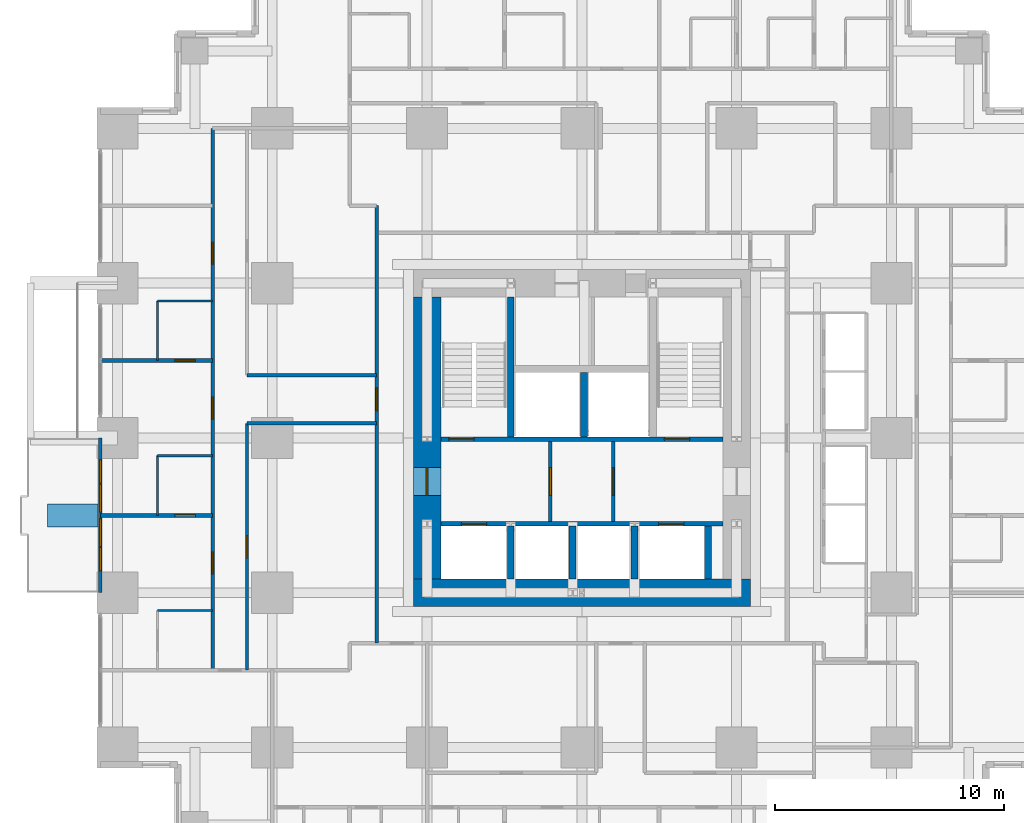
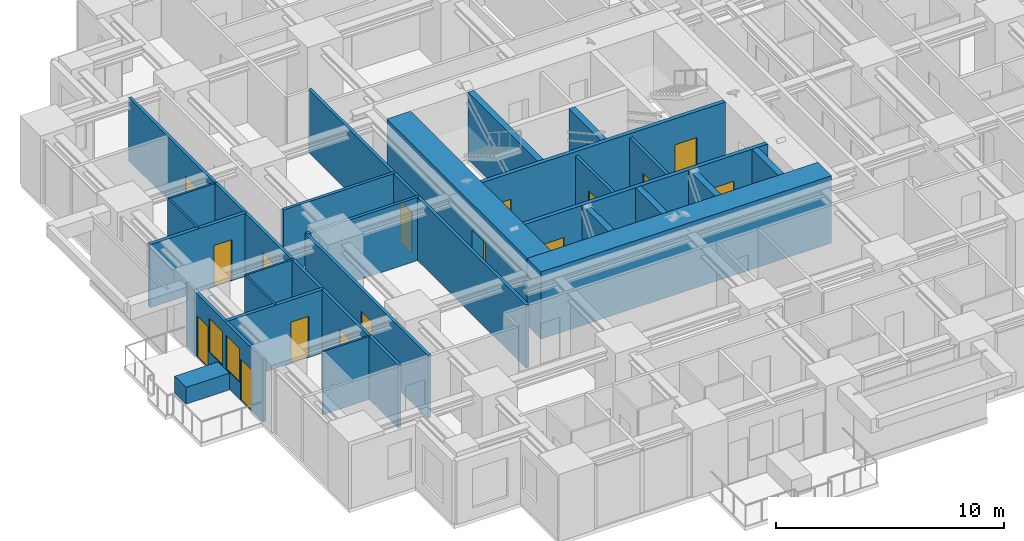
# One storey, part 9 of 14: 26 walls, 16 doors, 2 windows, 18 openings.
"""IFC4 building model written with IfcOpenShell, lengths in metres."""

from ifc_helpers import new_model, si_unit, direction, frame, frame_2d, origin, place, context, subcontext, project, spatial, rectangle, extrude, material, layer, layer_set, type_object, element, fill, save


model = new_model("IFC4")

# Units and contexts
model_context = context("Model", 3, precision=1e-05, world=origin(), true_north=direction((0.0, 1.0)))
body_context = subcontext(model_context, "Body", "Model", "MODEL_VIEW")
ifc_project = project(units=[si_unit("LENGTHUNIT", "METRE"), si_unit("AREAUNIT", "SQUARE_METRE"), si_unit("VOLUMEUNIT", "CUBIC_METRE"), si_unit("PLANEANGLEUNIT", "RADIAN"), si_unit("MASSUNIT", "GRAM", prefix="KILO")], contexts=[model_context])

# Site, building, storey
site_placement = place(None, origin())
site = spatial("IfcSite", under=ifc_project, at=site_placement, CompositionType="ELEMENT")
building_placement = place(site_placement, origin())
building = spatial("IfcBuilding", under=site, at=building_placement, Name="Nyansa Garden Tower", CompositionType="ELEMENT")
storey_placement = place(building_placement, frame((0.0, 0.0, 54.0)))
storey = spatial("IfcBuildingStorey", under=building, at=storey_placement, Name="L14", CompositionType="ELEMENT", Elevation=54.0)

# Wall, opening, door
ifc_material_1 = material(Name="Dense blockwork, plastered both sides, 55 dB", Category="masonry")
ifc_layer_1 = layer(ifc_material_1, 0.175048828125)
ifc_layer_set_1 = layer_set([ifc_layer_1], Name="Acoustic party wall PW175")
wall_type_1 = type_object("IfcWallType", Name="Acoustic party wall PW175", PredefinedType="PARTITIONING", material=ifc_layer_set_1)
wall_1_placement = place(storey_placement, frame((-0.73388671875, 16.875, 0.0), z_axis=(0.0, 0.0, 1.0), x_axis=(1.0, 0.0, 0.0)))
wall_1 = element("IfcWall", 1, at=wall_1_placement, inside=storey, type_object=wall_type_1, Name="Party wall", PredefinedType="PARTITIONING", context=body_context, shape_type="SweptSolid", body=[
    extrude(rectangle(XDim=4.8837890625, YDim=0.175048828125, at=frame_2d((2.44189453125, 0.0))), origin(), (0.0, 0.0, 1.0), 3.375),
])
opening_1_placement = place(wall_1_placement, frame((3.23388671875, 0.0, 0.0)))
opening_1 = element("IfcOpeningElement", 2, at=opening_1_placement, cuts=wall_1, Name="Opening D02", PredefinedType="OPENING", context=body_context, shape_type="SweptSolid", body=[
    extrude(rectangle(XDim=0.89990234375, YDim=2.199951171875, at=frame_2d((0.449951171875, 1.10009765625))), frame((0.0, 0.097412109375, 0.0), z_axis=(0.0, -1.0, 0.0), x_axis=(1.0, 0.0, 0.0)), (0.0, 0.0, 1.0), 0.195068359375),
])
ifc_material_2 = material(Name="Timber flush door", Category="wood")
door_type_1 = type_object("IfcDoorType", Name="En-suite door D02 900x2200", OperationType="SINGLE_SWING_RIGHT", PredefinedType="DOOR", material=ifc_material_2)
door_1_placement = place(opening_1_placement, origin())
door_1 = element("IfcDoor", 3, at=door_1_placement, inside=storey, type_object=door_type_1, Name="Door L14-061", OperationType="SINGLE_SWING_RIGHT", OverallHeight=2.199951171875, OverallWidth=0.89990234375, PredefinedType="DOOR", context=body_context, shape_type="SweptSolid", body=[
    extrude(rectangle(XDim=0.89990234375, YDim=2.199951171875, at=frame_2d((0.449951171875, 1.10009765625))), frame((0.0, 0.02490234375, 0.0), z_axis=(0.0, -1.0, 0.0), x_axis=(1.0, 0.0, 0.0)), (0.0, 0.0, 1.0), 0.050048828125),
])
fill(opening_1, door_1)

wall_2_placement = place(storey_placement, frame((-0.73388671875, 23.625, 0.0), z_axis=(0.0, 0.0, 1.0), x_axis=(1.0, 0.0, 0.0)))
wall_2 = element("IfcWall", 4, at=wall_2_placement, inside=storey, type_object=wall_type_1, Name="Party wall", PredefinedType="PARTITIONING", context=body_context, shape_type="SweptSolid", body=[
    extrude(rectangle(XDim=4.8837890625, YDim=0.175048828125, at=frame_2d((2.44189453125, 0.0))), origin(), (0.0, 0.0, 1.0), 3.375),
])
opening_2_placement = place(wall_2_placement, frame((3.23388671875, 0.0, 0.0)))
opening_2 = element("IfcOpeningElement", 5, at=opening_2_placement, cuts=wall_2, Name="Opening D02", PredefinedType="OPENING", context=body_context, shape_type="SweptSolid", body=[
    extrude(rectangle(XDim=0.89990234375, YDim=2.199951171875, at=frame_2d((0.449951171875, 1.10009765625))), frame((0.0, 0.097412109375, 0.0), z_axis=(0.0, -1.0, 0.0), x_axis=(1.0, 0.0, 0.0)), (0.0, 0.0, 1.0), 0.195068359375),
])
door_2_placement = place(opening_2_placement, origin())
door_2 = element("IfcDoor", 6, at=door_2_placement, inside=storey, type_object=door_type_1, Name="Door L14-063", OperationType="SINGLE_SWING_RIGHT", OverallHeight=2.199951171875, OverallWidth=0.89990234375, PredefinedType="DOOR", context=body_context, shape_type="SweptSolid", body=[
    extrude(rectangle(XDim=0.89990234375, YDim=2.199951171875, at=frame_2d((0.449951171875, 1.10009765625))), frame((0.0, 0.02490234375, 0.0), z_axis=(0.0, -1.0, 0.0), x_axis=(1.0, 0.0, 0.0)), (0.0, 0.0, 1.0), 0.050048828125),
])
fill(opening_2, door_2)

# Wall, openings, doors, windows
ifc_material_3 = material(Name="Black aluminium framed glazed screen", Category="aluminium")
ifc_layer_2 = layer(ifc_material_3, 0.14990234375)
ifc_layer_set_2 = layer_set([ifc_layer_2], Name="Balcony screen wall BW150")
wall_type_2 = type_object("IfcWallType", Name="Balcony screen wall BW150", PredefinedType="SOLIDWALL", material=ifc_layer_set_2)
wall_3_placement = place(storey_placement, frame((-0.75, 13.5, 0.0), z_axis=(0.0, 0.0, 1.0), x_axis=(0.0, 1.0, 0.0)))
wall_3 = element("IfcWall", 7, at=wall_3_placement, inside=storey, type_object=wall_type_2, Name="Glazed screen wall L14 W", PredefinedType="SOLIDWALL", context=body_context, shape_type="SweptSolid", body=[
    extrude(rectangle(XDim=6.75, YDim=0.14990234375, at=frame_2d((3.375, 0.0))), origin(), (0.0, 0.0, 1.0), 3.375),
])
opening_3_placement = place(wall_3_placement, frame((0.96240234375, 0.0, 0.0)))
opening_3 = element("IfcOpeningElement", 8, at=opening_3_placement, cuts=wall_3, Name="Opening D20", PredefinedType="OPENING", context=body_context, shape_type="SweptSolid", body=[
    extrude(rectangle(XDim=1.0, YDim=2.199951171875, at=frame_2d((0.5, 1.10009765625))), frame((0.0, 0.0849609375, 0.0), z_axis=(0.0, -1.0, 0.0), x_axis=(1.0, 0.0, 0.0)), (0.0, 0.0, 1.0), 0.169921875),
])
opening_4_placement = place(wall_3_placement, frame((2.02490234375, 0.0, 0.89990234375)))
opening_4 = element("IfcOpeningElement", 9, at=opening_4_placement, cuts=wall_3, Name="Opening W6", PredefinedType="OPENING", context=body_context, shape_type="SweptSolid", body=[
    extrude(rectangle(XDim=1.199951171875, YDim=1.800048828125, at=frame_2d((0.60009765625, 0.89990234375))), frame((0.0, 0.0849609375, 0.0), z_axis=(0.0, -1.0, 0.0), x_axis=(1.0, 0.0, 0.0)), (0.0, 0.0, 1.0), 0.169921875),
])
opening_5_placement = place(wall_3_placement, frame((4.78759765625, 0.0, 0.0)))
opening_5 = element("IfcOpeningElement", 10, at=opening_5_placement, cuts=wall_3, Name="Opening D20", PredefinedType="OPENING", context=body_context, shape_type="SweptSolid", body=[
    extrude(rectangle(XDim=1.0, YDim=2.199951171875, at=frame_2d((0.5, 1.10009765625))), frame((0.0, 0.0849609375, 0.0), z_axis=(0.0, -1.0, 0.0), x_axis=(1.0, 0.0, 0.0)), (0.0, 0.0, 1.0), 0.169921875),
])
opening_6_placement = place(wall_3_placement, frame((3.52490234375, 0.0, 0.89990234375)))
opening_6 = element("IfcOpeningElement", 11, at=opening_6_placement, cuts=wall_3, Name="Opening W6", PredefinedType="OPENING", context=body_context, shape_type="SweptSolid", body=[
    extrude(rectangle(XDim=1.199951171875, YDim=1.800048828125, at=frame_2d((0.60009765625, 0.89990234375))), frame((0.0, 0.0849609375, 0.0), z_axis=(0.0, -1.0, 0.0), x_axis=(1.0, 0.0, 0.0)), (0.0, 0.0, 1.0), 0.169921875),
])
ifc_material_4 = material(Name="Black aluminium framed glazed door", Category="aluminium")
door_type_2 = type_object("IfcDoorType", Name="Balcony door D20 1000x2200", OperationType="NOTDEFINED", PredefinedType="DOOR", material=ifc_material_4)
door_3_placement = place(opening_3_placement, origin())
door_3 = element("IfcDoor", 12, at=door_3_placement, inside=storey, type_object=door_type_2, Name="Balcony door L14", OperationType="SINGLE_SWING_LEFT", OverallHeight=2.199951171875, OverallWidth=1.0, PredefinedType="DOOR", context=body_context, shape_type="SweptSolid", body=[
    extrude(rectangle(XDim=1.0, YDim=2.199951171875, at=frame_2d((0.5, 1.10009765625))), frame((0.0, 0.02490234375, 0.0), z_axis=(0.0, -1.0, 0.0), x_axis=(1.0, 0.0, 0.0)), (0.0, 0.0, 1.0), 0.050048828125),
])
fill(opening_3, door_3)
door_4_placement = place(opening_5_placement, origin())
door_4 = element("IfcDoor", 13, at=door_4_placement, inside=storey, type_object=door_type_2, Name="Balcony door L14", OperationType="SINGLE_SWING_RIGHT", OverallHeight=2.199951171875, OverallWidth=1.0, PredefinedType="DOOR", context=body_context, shape_type="SweptSolid", body=[
    extrude(rectangle(XDim=1.0, YDim=2.199951171875, at=frame_2d((0.5, 1.10009765625))), frame((0.0, 0.02490234375, 0.0), z_axis=(0.0, -1.0, 0.0), x_axis=(1.0, 0.0, 0.0)), (0.0, 0.0, 1.0), 0.050048828125),
])
fill(opening_5, door_4)
ifc_material_5 = material(Name="Black aluminium frame, dark tinted double glazing", Category="aluminium")
window_type = type_object("IfcWindowType", Name="Balcony window W6 1200x1800", PartitioningType="SINGLE_PANEL", PredefinedType="WINDOW", material=ifc_material_5)
window_1_placement = place(opening_4_placement, origin())
window_1 = element("IfcWindow", 14, at=window_1_placement, inside=storey, type_object=window_type, Name="Window L14", OverallHeight=1.800048828125, OverallWidth=1.199951171875, PartitioningType="SINGLE_PANEL", PredefinedType="WINDOW", context=body_context, shape_type="SweptSolid", body=[
    extrude(rectangle(XDim=1.199951171875, YDim=1.800048828125, at=frame_2d((0.60009765625, 0.89990234375))), frame((0.0, 0.030029296875, 0.0), z_axis=(0.0, -1.0, 0.0), x_axis=(1.0, 0.0, 0.0)), (0.0, 0.0, 1.0), 0.06005859375),
])
fill(opening_4, window_1)
window_2_placement = place(opening_6_placement, origin())
window_2 = element("IfcWindow", 15, at=window_2_placement, inside=storey, type_object=window_type, Name="Window L14", OverallHeight=1.800048828125, OverallWidth=1.199951171875, PartitioningType="SINGLE_PANEL", PredefinedType="WINDOW", context=body_context, shape_type="SweptSolid", body=[
    extrude(rectangle(XDim=1.199951171875, YDim=1.800048828125, at=frame_2d((0.60009765625, 0.89990234375))), frame((0.0, 0.030029296875, 0.0), z_axis=(0.0, -1.0, 0.0), x_axis=(1.0, 0.0, 0.0)), (0.0, 0.0, 1.0), 0.06005859375),
])
fill(opening_6, window_2)

# Wall, openings, doors
ifc_material_6 = material(Name="Concrete C70/85", Category="concrete")
ifc_layer_3 = layer(ifc_material_6, 0.199951171875)
ifc_layer_set_3 = layer_set([ifc_layer_3], Name="Core inner wall CI200")
wall_type_3 = type_object("IfcWallType", Name="Core inner wall CI200", PredefinedType="SHEAR", material=ifc_layer_set_3)
wall_4_placement = place(storey_placement, frame((14.10009765625, 16.5, 0.0), z_axis=(0.0, 0.0, 1.0), x_axis=(1.0, 0.0, 0.0)))
wall_4 = element("IfcWall", 16, at=wall_4_placement, inside=storey, type_object=wall_type_3, Name="Core inner wall L14", PredefinedType="SHEAR", context=body_context, shape_type="SweptSolid", body=[
    extrude(rectangle(XDim=12.2998046875, YDim=0.199951171875, at=frame_2d((6.14990234375, 0.0))), origin(), (0.0, 0.0, 1.0), 3.60009765625),
])
opening_7_placement = place(wall_4_placement, frame((0.89990234375, 0.0, 0.0)))
opening_7 = element("IfcOpeningElement", 17, at=opening_7_placement, cuts=wall_4, Name="Opening LD-F", PredefinedType="OPENING", context=body_context, shape_type="SweptSolid", body=[
    extrude(rectangle(XDim=1.10009765625, YDim=2.199951171875, at=frame_2d((0.550048828125, 1.10009765625))), frame((0.0, 0.10986328125, 0.0), z_axis=(0.0, -1.0, 0.0), x_axis=(1.0, 0.0, 0.0)), (0.0, 0.0, 1.0), 0.219970703125),
])
opening_8_placement = place(wall_4_placement, frame((9.5, 0.0, 0.0)))
opening_8 = element("IfcOpeningElement", 18, at=opening_8_placement, cuts=wall_4, Name="Opening LD-F", PredefinedType="OPENING", context=body_context, shape_type="SweptSolid", body=[
    extrude(rectangle(XDim=1.10009765625, YDim=2.199951171875, at=frame_2d((0.550048828125, 1.10009765625))), frame((0.0, 0.10986328125, 0.0), z_axis=(0.0, -1.0, 0.0), x_axis=(1.0, 0.0, 0.0)), (0.0, 0.0, 1.0), 0.219970703125),
])
ifc_material_7 = material(Name="Stainless steel centre-opening landing door of the firefighting lift, EN 81-72, E 120", Category="steel")
door_type_3 = type_object("IfcDoorType", Name="Lift landing door LD-F 1100x2200", OperationType="DOUBLE_DOOR_SLIDING", PredefinedType="DOOR", material=ifc_material_7)
door_5_placement = place(opening_7_placement, origin())
door_5 = element("IfcDoor", 19, at=door_5_placement, inside=storey, type_object=door_type_3, Name="Landing door FF1", OperationType="DOUBLE_DOOR_SLIDING", OverallHeight=2.199951171875, OverallWidth=1.10009765625, PredefinedType="DOOR", context=body_context, shape_type="SweptSolid", body=[
    extrude(rectangle(XDim=1.10009765625, YDim=2.199951171875, at=frame_2d((0.550048828125, 1.10009765625))), frame((0.0, 0.02490234375, 0.0), z_axis=(0.0, -1.0, 0.0), x_axis=(1.0, 0.0, 0.0)), (0.0, 0.0, 1.0), 0.050048828125),
])
fill(opening_7, door_5)
door_6_placement = place(opening_8_placement, origin())
door_6 = element("IfcDoor", 20, at=door_6_placement, inside=storey, type_object=door_type_3, Name="Landing door FF2", OperationType="DOUBLE_DOOR_SLIDING", OverallHeight=2.199951171875, OverallWidth=1.10009765625, PredefinedType="DOOR", context=body_context, shape_type="SweptSolid", body=[
    extrude(rectangle(XDim=1.10009765625, YDim=2.199951171875, at=frame_2d((0.550048828125, 1.10009765625))), frame((0.0, 0.02490234375, 0.0), z_axis=(0.0, -1.0, 0.0), x_axis=(1.0, 0.0, 0.0)), (0.0, 0.0, 1.0), 0.050048828125),
])
fill(opening_8, door_6)

wall_5_placement = place(storey_placement, frame((14.10009765625, 20.199951171875, 0.0), z_axis=(0.0, 0.0, 1.0), x_axis=(1.0, 0.0, 0.0)))
wall_5 = element("IfcWall", 21, at=wall_5_placement, inside=storey, type_object=wall_type_3, Name="Core inner wall L14", PredefinedType="SHEAR", context=body_context, shape_type="SweptSolid", body=[
    extrude(rectangle(XDim=12.2998046875, YDim=0.199951171875, at=frame_2d((6.14990234375, 0.0))), origin(), (0.0, 0.0, 1.0), 3.60009765625),
])
opening_9_placement = place(wall_5_placement, frame((0.35009765625, 0.0, 0.0)))
opening_9 = element("IfcOpeningElement", 22, at=opening_9_placement, cuts=wall_5, Name="Opening D05", PredefinedType="OPENING", context=body_context, shape_type="SweptSolid", body=[
    extrude(rectangle(XDim=1.10009765625, YDim=2.199951171875, at=frame_2d((0.550048828125, 1.10009765625))), frame((0.0, 0.10986328125, 0.0), z_axis=(0.0, -1.0, 0.0), x_axis=(1.0, 0.0, 0.0)), (0.0, 0.0, 1.0), 0.219970703125),
])
opening_10_placement = place(wall_5_placement, frame((9.75, 0.0, 0.0)))
opening_10 = element("IfcOpeningElement", 23, at=opening_10_placement, cuts=wall_5, Name="Opening D05", PredefinedType="OPENING", context=body_context, shape_type="SweptSolid", body=[
    extrude(rectangle(XDim=1.10009765625, YDim=2.199951171875, at=frame_2d((0.550048828125, 1.10009765625))), frame((0.0, 0.10986328125, 0.0), z_axis=(0.0, -1.0, 0.0), x_axis=(1.0, 0.0, 0.0)), (0.0, 0.0, 1.0), 0.219970703125),
])
ifc_material_8 = material(Name="Steel door, 120 minute fire resisting", Category="steel")
door_type_4 = type_object("IfcDoorType", Name="Stair door D05 1100x2200", OperationType="SINGLE_SWING_LEFT", PredefinedType="DOOR", material=ifc_material_8)
door_7_placement = place(opening_9_placement, origin())
door_7 = element("IfcDoor", 24, at=door_7_placement, inside=storey, type_object=door_type_4, Name="Stair S1 door", OperationType="SINGLE_SWING_LEFT", OverallHeight=2.199951171875, OverallWidth=1.10009765625, PredefinedType="DOOR", context=body_context, shape_type="SweptSolid", body=[
    extrude(rectangle(XDim=1.10009765625, YDim=2.199951171875, at=frame_2d((0.550048828125, 1.10009765625))), frame((0.0, 0.02490234375, 0.0), z_axis=(0.0, -1.0, 0.0), x_axis=(1.0, 0.0, 0.0)), (0.0, 0.0, 1.0), 0.050048828125),
])
fill(opening_9, door_7)
door_8_placement = place(opening_10_placement, origin())
door_8 = element("IfcDoor", 25, at=door_8_placement, inside=storey, type_object=door_type_4, Name="Stair S2 door", OperationType="SINGLE_SWING_LEFT", OverallHeight=2.199951171875, OverallWidth=1.10009765625, PredefinedType="DOOR", context=body_context, shape_type="SweptSolid", body=[
    extrude(rectangle(XDim=1.10009765625, YDim=2.199951171875, at=frame_2d((0.550048828125, 1.10009765625))), frame((0.0, 0.02490234375, 0.0), z_axis=(0.0, -1.0, 0.0), x_axis=(1.0, 0.0, 0.0)), (0.0, 0.0, 1.0), 0.050048828125),
])
fill(opening_10, door_8)

# Walls
ifc_material_9 = material(Name="Concrete C70/85", Category="concrete")
ifc_layer_4 = layer(ifc_material_9, 0.300048828125)
ifc_layer_set_4 = layer_set([ifc_layer_4], Name="Core inner wall CI300")
wall_type_4 = type_object("IfcWallType", Name="Core inner wall CI300", PredefinedType="SHEAR", material=ifc_layer_set_4)
wall_6_placement = place(storey_placement, frame((17.14990234375, 20.300048828125, 0.0), z_axis=(0.0, 0.0, 1.0), x_axis=(0.0, 1.0, 0.0)))
element("IfcWall", 26, at=wall_6_placement, inside=storey, type_object=wall_type_4, Name="Core inner wall L14", PredefinedType="SHEAR", context=body_context, shape_type="SweptSolid", body=[
    extrude(rectangle(XDim=6.099853515625, YDim=0.300048828125, at=frame_2d((3.0498046875, 0.0))), origin(), (0.0, 0.0, 1.0), 3.60009765625),
])
wall_7_placement = place(storey_placement, frame((20.35009765625, 20.300048828125, 0.0), z_axis=(0.0, 0.0, 1.0), x_axis=(0.0, 1.0, 0.0)))
element("IfcWall", 27, at=wall_7_placement, inside=storey, type_object=wall_type_4, Name="Core inner wall L14", PredefinedType="SHEAR", context=body_context, shape_type="SweptSolid", body=[
    extrude(rectangle(XDim=2.800048828125, YDim=0.300048828125, at=frame_2d((1.39990234375, 0.0))), origin(), (0.0, 0.0, 1.0), 3.60009765625),
])
for number, where, z_axis, x_axis, name in (
    (28, (17.14990234375, 14.10009765625, 0.0), (0.0, 0.0, 1.0), (0.0, 1.0, 0.0), "Core inner wall L14"),
    (29, (19.85009765625, 14.10009765625, 0.0), (0.0, 0.0, 1.0), (0.0, 1.0, 0.0), "Core inner wall L14"),
    (30, (22.550048828125, 14.10009765625, 0.0), (0.0, 0.0, 1.0), (0.0, 1.0, 0.0), "Core inner wall L14"),
    (31, (25.75, 14.10009765625, 0.0), (0.0, 0.0, 1.0), (0.0, 1.0, 0.0), "Core inner wall L14"),
):
    element("IfcWall", number, at=place(storey_placement, frame(where, z_axis=z_axis, x_axis=x_axis)), inside=storey, type_object=wall_type_4, Name=name, PredefinedType="SHEAR", context=body_context, shape_type="SweptSolid", body=[
        extrude(rectangle(XDim=2.2998046875, YDim=0.300048828125, at=frame_2d((1.14990234375, 0.0))), origin(), (0.0, 0.0, 1.0), 3.60009765625),
    ])
ifc_material_10 = material(Name="Concrete C80/95", Category="concrete")
ifc_layer_5 = layer(ifc_material_10, 1.199951171875)
ifc_layer_set_5 = layer_set([ifc_layer_5], Name="Core wall CW1200")
wall_type_5 = type_object("IfcWallType", Name="Core wall CW1200", PredefinedType="SHEAR", material=ifc_layer_set_5)
wall_8_placement = place(storey_placement, frame((12.89990234375, 13.5, 0.0), z_axis=(0.0, 0.0, 1.0), x_axis=(1.0, 0.0, 0.0)))
element("IfcWall", 32, at=wall_8_placement, inside=storey, type_object=wall_type_5, Name="Core wall S L14", PredefinedType="SHEAR", context=body_context, shape_type="SweptSolid", body=[
    extrude(rectangle(XDim=14.7001953125, YDim=1.199951171875, at=frame_2d((7.35009765625, 0.0))), origin(), (0.0, 0.0, 1.0), 3.60009765625),
])

# Wall, opening, door
wall_9_placement = place(storey_placement, frame((13.5, 26.39990234375, 0.0), z_axis=(0.0, 0.0, 1.0), x_axis=(0.0, -1.0, 0.0)))
wall_9 = element("IfcWall", 33, at=wall_9_placement, inside=storey, type_object=wall_type_5, Name="Core wall W L14", PredefinedType="SHEAR", context=body_context, shape_type="SweptSolid", body=[
    extrude(rectangle(XDim=12.2998046875, YDim=1.199951171875, at=frame_2d((6.14990234375, 0.0))), origin(), (0.0, 0.0, 1.0), 3.60009765625),
])
opening_11_placement = place(wall_9_placement, frame((7.449951171875, 0.0, 0.0)))
opening_11 = element("IfcOpeningElement", 34, at=opening_11_placement, cuts=wall_9, Name="Opening D06", PredefinedType="OPENING", context=body_context, shape_type="SweptSolid", body=[
    extrude(rectangle(XDim=1.199951171875, YDim=2.199951171875, at=frame_2d((0.60009765625, 1.10009765625))), frame((0.0, 0.60986328125, 0.0), z_axis=(0.0, -1.0, 0.0), x_axis=(1.0, 0.0, 0.0)), (0.0, 0.0, 1.0), 1.219970703125),
])
ifc_material_11 = material(Name="Steel door, 120 minute fire resisting", Category="steel")
door_type_5 = type_object("IfcDoorType", Name="Lobby door D06 1200x2200", OperationType="DOUBLE_DOOR_SINGLE_SWING", PredefinedType="DOOR", material=ifc_material_11)
door_9_placement = place(opening_11_placement, origin())
door_9 = element("IfcDoor", 35, at=door_9_placement, inside=storey, type_object=door_type_5, Name="Lift lobby door west", OperationType="DOUBLE_DOOR_SINGLE_SWING", OverallHeight=2.199951171875, OverallWidth=1.199951171875, PredefinedType="DOOR", context=body_context, shape_type="SweptSolid", body=[
    extrude(rectangle(XDim=1.199951171875, YDim=2.199951171875, at=frame_2d((0.60009765625, 1.10009765625))), frame((0.0, 0.02490234375, 0.0), z_axis=(0.0, -1.0, 0.0), x_axis=(1.0, 0.0, 0.0)), (0.0, 0.0, 1.0), 0.050048828125),
])
fill(opening_11, door_9)

ifc_material_12 = material(Name="Blockwork, plastered both sides", Category="masonry")
ifc_layer_6 = layer(ifc_material_12, 0.14990234375)
ifc_layer_set_6 = layer_set([ifc_layer_6], Name="Partition PW150")
wall_type_6 = type_object("IfcWallType", Name="Partition PW150", PredefinedType="PARTITIONING", material=ifc_layer_set_6)
wall_10_placement = place(storey_placement, frame((18.875, 16.60009765625, 0.0), z_axis=(0.0, 0.0, 1.0), x_axis=(0.0, 1.0, 0.0)))
wall_10 = element("IfcWall", 36, at=wall_10_placement, inside=storey, type_object=wall_type_6, Name="Partition", PredefinedType="PARTITIONING", context=body_context, shape_type="SweptSolid", body=[
    extrude(rectangle(XDim=3.5, YDim=0.14990234375, at=frame_2d((1.75, 0.0))), origin(), (0.0, 0.0, 1.0), 3.375),
])
opening_12_placement = place(wall_10_placement, frame((1.14990234375, 0.0, 0.0)))
opening_12 = element("IfcOpeningElement", 37, at=opening_12_placement, cuts=wall_10, Name="Opening D06", PredefinedType="OPENING", context=body_context, shape_type="SweptSolid", body=[
    extrude(rectangle(XDim=1.199951171875, YDim=2.199951171875, at=frame_2d((0.60009765625, 1.10009765625))), frame((0.0, 0.0849609375, 0.0), z_axis=(0.0, -1.0, 0.0), x_axis=(1.0, 0.0, 0.0)), (0.0, 0.0, 1.0), 0.169921875),
])
door_10_placement = place(opening_12_placement, origin())
door_10 = element("IfcDoor", 38, at=door_10_placement, inside=storey, type_object=door_type_5, Name="Passenger lift lobby door", OperationType="DOUBLE_DOOR_SINGLE_SWING", OverallHeight=2.199951171875, OverallWidth=1.199951171875, PredefinedType="DOOR", context=body_context, shape_type="SweptSolid", body=[
    extrude(rectangle(XDim=1.199951171875, YDim=2.199951171875, at=frame_2d((0.60009765625, 1.10009765625))), frame((0.0, 0.02490234375, 0.0), z_axis=(0.0, -1.0, 0.0), x_axis=(1.0, 0.0, 0.0)), (0.0, 0.0, 1.0), 0.050048828125),
])
fill(opening_12, door_10)

wall_11_placement = place(storey_placement, frame((21.625, 16.60009765625, 0.0), z_axis=(0.0, 0.0, 1.0), x_axis=(0.0, 1.0, 0.0)))
wall_11 = element("IfcWall", 39, at=wall_11_placement, inside=storey, type_object=wall_type_6, Name="Partition", PredefinedType="PARTITIONING", context=body_context, shape_type="SweptSolid", body=[
    extrude(rectangle(XDim=3.5, YDim=0.14990234375, at=frame_2d((1.75, 0.0))), origin(), (0.0, 0.0, 1.0), 3.375),
])
opening_13_placement = place(wall_11_placement, frame((1.14990234375, 0.0, 0.0)))
opening_13 = element("IfcOpeningElement", 40, at=opening_13_placement, cuts=wall_11, Name="Opening D06", PredefinedType="OPENING", context=body_context, shape_type="SweptSolid", body=[
    extrude(rectangle(XDim=1.199951171875, YDim=2.199951171875, at=frame_2d((0.60009765625, 1.10009765625))), frame((0.0, 0.0849609375, 0.0), z_axis=(0.0, -1.0, 0.0), x_axis=(1.0, 0.0, 0.0)), (0.0, 0.0, 1.0), 0.169921875),
])
door_11_placement = place(opening_13_placement, origin())
door_11 = element("IfcDoor", 41, at=door_11_placement, inside=storey, type_object=door_type_5, Name="Passenger lift lobby door", OperationType="DOUBLE_DOOR_SINGLE_SWING", OverallHeight=2.199951171875, OverallWidth=1.199951171875, PredefinedType="DOOR", context=body_context, shape_type="SweptSolid", body=[
    extrude(rectangle(XDim=1.199951171875, YDim=2.199951171875, at=frame_2d((0.60009765625, 1.10009765625))), frame((0.0, 0.02490234375, 0.0), z_axis=(0.0, -1.0, 0.0), x_axis=(1.0, 0.0, 0.0)), (0.0, 0.0, 1.0), 0.050048828125),
])
fill(opening_13, door_11)

# Wall, openings, doors
wall_12_placement = place(storey_placement, frame((4.14990234375, 10.125, 0.0), z_axis=(0.0, 0.0, 1.0), x_axis=(0.0, 1.0, 0.0)))
wall_12 = element("IfcWall", 42, at=wall_12_placement, inside=storey, type_object=wall_type_6, Name="Partition", PredefinedType="PARTITIONING", context=body_context, shape_type="SweptSolid", body=[
    extrude(rectangle(XDim=23.625, YDim=0.14990234375, at=frame_2d((11.8125, 0.0))), origin(), (0.0, 0.0, 1.0), 3.375),
])
opening_14_placement = place(wall_12_placement, frame((4.199951171875, 0.0, 0.0)))
opening_14 = element("IfcOpeningElement", 43, at=opening_14_placement, cuts=wall_12, Name="Opening D14", PredefinedType="OPENING", context=body_context, shape_type="SweptSolid", body=[
    extrude(rectangle(XDim=0.949951171875, YDim=2.199951171875, at=frame_2d((0.47509765625, 1.10009765625))), frame((0.0, 0.0849609375, 0.0), z_axis=(0.0, -1.0, 0.0), x_axis=(1.0, 0.0, 0.0)), (0.0, 0.0, 1.0), 0.169921875),
])
opening_15_placement = place(wall_12_placement, frame((10.949951171875, 0.0, 0.0)))
opening_15 = element("IfcOpeningElement", 44, at=opening_15_placement, cuts=wall_12, Name="Opening D14", PredefinedType="OPENING", context=body_context, shape_type="SweptSolid", body=[
    extrude(rectangle(XDim=0.949951171875, YDim=2.199951171875, at=frame_2d((0.47509765625, 1.10009765625))), frame((0.0, 0.0849609375, 0.0), z_axis=(0.0, -1.0, 0.0), x_axis=(1.0, 0.0, 0.0)), (0.0, 0.0, 1.0), 0.169921875),
])
opening_16_placement = place(wall_12_placement, frame((17.699951171875, 0.0, 0.0)))
opening_16 = element("IfcOpeningElement", 45, at=opening_16_placement, cuts=wall_12, Name="Opening D14", PredefinedType="OPENING", context=body_context, shape_type="SweptSolid", body=[
    extrude(rectangle(XDim=0.949951171875, YDim=2.199951171875, at=frame_2d((0.47509765625, 1.10009765625))), frame((0.0, 0.0849609375, 0.0), z_axis=(0.0, -1.0, 0.0), x_axis=(1.0, 0.0, 0.0)), (0.0, 0.0, 1.0), 0.169921875),
])
ifc_material_13 = material(Name="Timber flush door, 60 minute fire resisting, self-closing", Category="wood")
door_type_6 = type_object("IfcDoorType", Name="Studio entrance door D14 950x2200", OperationType="SINGLE_SWING_LEFT", PredefinedType="DOOR", material=ifc_material_13)
door_12_placement = place(opening_14_placement, origin())
door_12 = element("IfcDoor", 46, at=door_12_placement, inside=storey, type_object=door_type_6, Name="Door L14-058", OperationType="SINGLE_SWING_LEFT", OverallHeight=2.199951171875, OverallWidth=0.949951171875, PredefinedType="DOOR", context=body_context, shape_type="SweptSolid", body=[
    extrude(rectangle(XDim=0.949951171875, YDim=2.199951171875, at=frame_2d((0.47509765625, 1.10009765625))), frame((0.0, 0.02490234375, 0.0), z_axis=(0.0, -1.0, 0.0), x_axis=(1.0, 0.0, 0.0)), (0.0, 0.0, 1.0), 0.050048828125),
])
fill(opening_14, door_12)
door_13_placement = place(opening_15_placement, origin())
door_13 = element("IfcDoor", 47, at=door_13_placement, inside=storey, type_object=door_type_6, Name="Door L14-060", OperationType="SINGLE_SWING_LEFT", OverallHeight=2.199951171875, OverallWidth=0.949951171875, PredefinedType="DOOR", context=body_context, shape_type="SweptSolid", body=[
    extrude(rectangle(XDim=0.949951171875, YDim=2.199951171875, at=frame_2d((0.47509765625, 1.10009765625))), frame((0.0, 0.02490234375, 0.0), z_axis=(0.0, -1.0, 0.0), x_axis=(1.0, 0.0, 0.0)), (0.0, 0.0, 1.0), 0.050048828125),
])
fill(opening_15, door_13)
door_14_placement = place(opening_16_placement, origin())
door_14 = element("IfcDoor", 48, at=door_14_placement, inside=storey, type_object=door_type_6, Name="Door L14-062", OperationType="SINGLE_SWING_LEFT", OverallHeight=2.199951171875, OverallWidth=0.949951171875, PredefinedType="DOOR", context=body_context, shape_type="SweptSolid", body=[
    extrude(rectangle(XDim=0.949951171875, YDim=2.199951171875, at=frame_2d((0.47509765625, 1.10009765625))), frame((0.0, 0.02490234375, 0.0), z_axis=(0.0, -1.0, 0.0), x_axis=(1.0, 0.0, 0.0)), (0.0, 0.0, 1.0), 0.050048828125),
])
fill(opening_16, door_14)

# Wall, opening, door
wall_13_placement = place(storey_placement, frame((5.64990234375, 10.125, 0.0), z_axis=(0.0, 0.0, 1.0), x_axis=(0.0, 1.0, 0.0)))
wall_13 = element("IfcWall", 49, at=wall_13_placement, inside=storey, type_object=wall_type_6, Name="Partition", PredefinedType="PARTITIONING", context=body_context, shape_type="SweptSolid", body=[
    extrude(rectangle(XDim=10.762451171875, YDim=0.14990234375, at=frame_2d((5.38134765625, 0.0))), origin(), (0.0, 0.0, 1.0), 3.375),
])
opening_17_placement = place(wall_13_placement, frame((4.89990234375, 0.0, 0.0)))
opening_17 = element("IfcOpeningElement", 50, at=opening_17_placement, cuts=wall_13, Name="Opening D01", PredefinedType="OPENING", context=body_context, shape_type="SweptSolid", body=[
    extrude(rectangle(XDim=0.949951171875, YDim=2.199951171875, at=frame_2d((0.47509765625, 1.10009765625))), frame((0.0, 0.0849609375, 0.0), z_axis=(0.0, -1.0, 0.0), x_axis=(1.0, 0.0, 0.0)), (0.0, 0.0, 1.0), 0.169921875),
])
ifc_material_14 = material(Name="Timber flush door, 30 minute fire resisting", Category="wood")
door_type_7 = type_object("IfcDoorType", Name="Bedroom door D01 950x2200", OperationType="SINGLE_SWING_LEFT", PredefinedType="DOOR", material=ifc_material_14)
door_15_placement = place(opening_17_placement, origin())
door_15 = element("IfcDoor", 51, at=door_15_placement, inside=storey, type_object=door_type_7, Name="Door L14-065", OperationType="SINGLE_SWING_LEFT", OverallHeight=2.199951171875, OverallWidth=0.949951171875, PredefinedType="DOOR", context=body_context, shape_type="SweptSolid", body=[
    extrude(rectangle(XDim=0.949951171875, YDim=2.199951171875, at=frame_2d((0.47509765625, 1.10009765625))), frame((0.0, 0.02490234375, 0.0), z_axis=(0.0, -1.0, 0.0), x_axis=(1.0, 0.0, 0.0)), (0.0, 0.0, 1.0), 0.050048828125),
])
fill(opening_17, door_15)

# Walls
for number, where, z_axis, x_axis, name in (
    (52, (5.64990234375, 20.886962890625, 0.0), (0.0, 0.0, 1.0), (1.0, 0.0, 0.0), "Partition"),
    (53, (5.64990234375, 22.988037109375, 0.0), (0.0, 0.0, 1.0), (1.0, 0.0, 0.0), "Partition"),
):
    element("IfcWall", number, at=place(storey_placement, frame(where, z_axis=z_axis, x_axis=x_axis)), inside=storey, type_object=wall_type_6, Name=name, PredefinedType="PARTITIONING", context=body_context, shape_type="SweptSolid", body=[
        extrude(rectangle(XDim=5.650146484375, YDim=0.14990234375, at=frame_2d((2.8251953125, 0.0))), origin(), (0.0, 0.0, 1.0), 3.375),
    ])

# Wall, opening, door
wall_14_placement = place(storey_placement, frame((11.300048828125, 11.300048828125, 0.0), z_axis=(0.0, 0.0, 1.0), x_axis=(0.0, 1.0, 0.0)))
wall_14 = element("IfcWall", 54, at=wall_14_placement, inside=storey, type_object=wall_type_6, Name="Partition", PredefinedType="PARTITIONING", context=body_context, shape_type="SweptSolid", body=[
    extrude(rectangle(XDim=19.074951171875, YDim=0.14990234375, at=frame_2d((9.53759765625, 0.0))), origin(), (0.0, 0.0, 1.0), 3.375),
])
opening_18_placement = place(wall_14_placement, frame((10.137451171875, 0.0, 0.0)))
opening_18 = element("IfcOpeningElement", 55, at=opening_18_placement, cuts=wall_14, Name="Opening D03", PredefinedType="OPENING", context=body_context, shape_type="SweptSolid", body=[
    extrude(rectangle(XDim=1.0, YDim=2.199951171875, at=frame_2d((0.5, 1.10009765625))), frame((0.0, 0.0849609375, 0.0), z_axis=(0.0, -1.0, 0.0), x_axis=(1.0, 0.0, 0.0)), (0.0, 0.0, 1.0), 0.169921875),
])
ifc_material_15 = material(Name="Timber flush door, 60 minute fire resisting", Category="wood")
door_type_8 = type_object("IfcDoorType", Name="Cluster entrance door D03 1000x2200", OperationType="SINGLE_SWING_LEFT", PredefinedType="DOOR", material=ifc_material_15)
door_16_placement = place(opening_18_placement, origin())
door_16 = element("IfcDoor", 56, at=door_16_placement, inside=storey, type_object=door_type_8, Name="Door L14-064", OperationType="SINGLE_SWING_LEFT", OverallHeight=2.199951171875, OverallWidth=1.0, PredefinedType="DOOR", context=body_context, shape_type="SweptSolid", body=[
    extrude(rectangle(XDim=1.0, YDim=2.199951171875, at=frame_2d((0.5, 1.10009765625))), frame((0.0, 0.02490234375, 0.0), z_axis=(0.0, -1.0, 0.0), x_axis=(1.0, 0.0, 0.0)), (0.0, 0.0, 1.0), 0.050048828125),
])
fill(opening_18, door_16)

# Walls
ifc_material_16 = material(Name="Concrete C40/50 planter, waterproofed", Category="concrete")
ifc_layer_7 = layer(ifc_material_16, 1.0)
ifc_layer_set_7 = layer_set([ifc_layer_7], Name="Tree planter TP1")
wall_type_7 = type_object("IfcWallType", Name="Tree planter TP1", PredefinedType="USERDEFINED", material=ifc_layer_set_7)
wall_15_placement = place(storey_placement, frame((-0.85009765625, 16.875, 0.0), z_axis=(0.0, 0.0, 1.0), x_axis=(-1.0, 0.0, 0.0)))
element("IfcWall", 57, at=wall_15_placement, inside=storey, type_object=wall_type_7, Name="Tree planter L14", ObjectType="TREE PLANTER", PredefinedType="USERDEFINED", context=body_context, shape_type="SweptSolid", body=[
    extrude(rectangle(XDim=2.199951171875, YDim=1.0, at=frame_2d((1.10009765625, 0.0))), origin(), (0.0, 0.0, 1.0), 0.89990234375),
])
ifc_material_17 = material(Name="Moisture resistant board on steel studs, tiled", Category="steel")
ifc_layer_8 = layer(ifc_material_17, 0.10009765625)
ifc_layer_set_8 = layer_set([ifc_layer_8], Name="Wet wall PW100")
wall_type_8 = type_object("IfcWallType", Name="Wet wall PW100", PredefinedType="PARTITIONING", material=ifc_layer_set_8)
wall_16_placement = place(storey_placement, frame((1.75, 12.72509765625, 0.0), z_axis=(0.0, 0.0, 1.0), x_axis=(1.0, 0.0, 0.0)))
element("IfcWall", 58, at=wall_16_placement, inside=storey, type_object=wall_type_8, Name="Wet wall", PredefinedType="PARTITIONING", context=body_context, shape_type="SweptSolid", body=[
    extrude(rectangle(XDim=2.39990234375, YDim=0.10009765625, at=frame_2d((1.199951171875, 0.0))), origin(), (0.0, 0.0, 1.0), 3.375),
])
wall_17_placement = place(storey_placement, frame((1.75, 16.875, 0.0), z_axis=(0.0, 0.0, 1.0), x_axis=(0.0, 1.0, 0.0)))
element("IfcWall", 59, at=wall_17_placement, inside=storey, type_object=wall_type_8, Name="Wet wall", PredefinedType="PARTITIONING", context=body_context, shape_type="SweptSolid", body=[
    extrude(rectangle(XDim=2.60009765625, YDim=0.10009765625, at=frame_2d((1.300048828125, 0.0))), origin(), (0.0, 0.0, 1.0), 3.375),
])
wall_18_placement = place(storey_placement, frame((1.75, 19.47509765625, 0.0), z_axis=(0.0, 0.0, 1.0), x_axis=(1.0, 0.0, 0.0)))
element("IfcWall", 60, at=wall_18_placement, inside=storey, type_object=wall_type_8, Name="Wet wall", PredefinedType="PARTITIONING", context=body_context, shape_type="SweptSolid", body=[
    extrude(rectangle(XDim=2.39990234375, YDim=0.10009765625, at=frame_2d((1.199951171875, 0.0))), origin(), (0.0, 0.0, 1.0), 3.375),
])
wall_19_placement = place(storey_placement, frame((1.75, 23.625, 0.0), z_axis=(0.0, 0.0, 1.0), x_axis=(0.0, 1.0, 0.0)))
element("IfcWall", 61, at=wall_19_placement, inside=storey, type_object=wall_type_8, Name="Wet wall", PredefinedType="PARTITIONING", context=body_context, shape_type="SweptSolid", body=[
    extrude(rectangle(XDim=2.60009765625, YDim=0.10009765625, at=frame_2d((1.300048828125, 0.0))), origin(), (0.0, 0.0, 1.0), 3.375),
])
wall_20_placement = place(storey_placement, frame((1.75, 26.22509765625, 0.0), z_axis=(0.0, 0.0, 1.0), x_axis=(1.0, 0.0, 0.0)))
element("IfcWall", 62, at=wall_20_placement, inside=storey, type_object=wall_type_8, Name="Wet wall", PredefinedType="PARTITIONING", context=body_context, shape_type="SweptSolid", body=[
    extrude(rectangle(XDim=2.39990234375, YDim=0.10009765625, at=frame_2d((1.199951171875, 0.0))), origin(), (0.0, 0.0, 1.0), 3.375),
])

save(model, "model.ifc")
